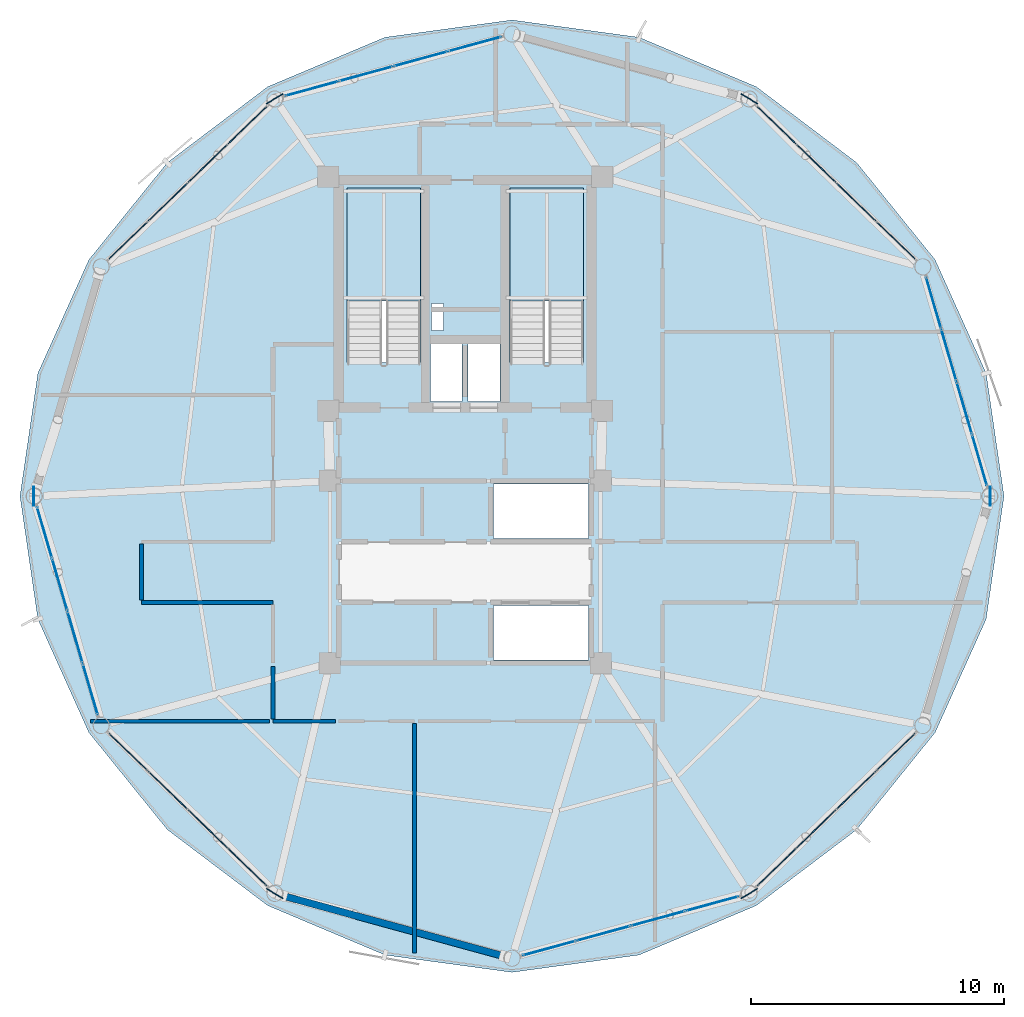
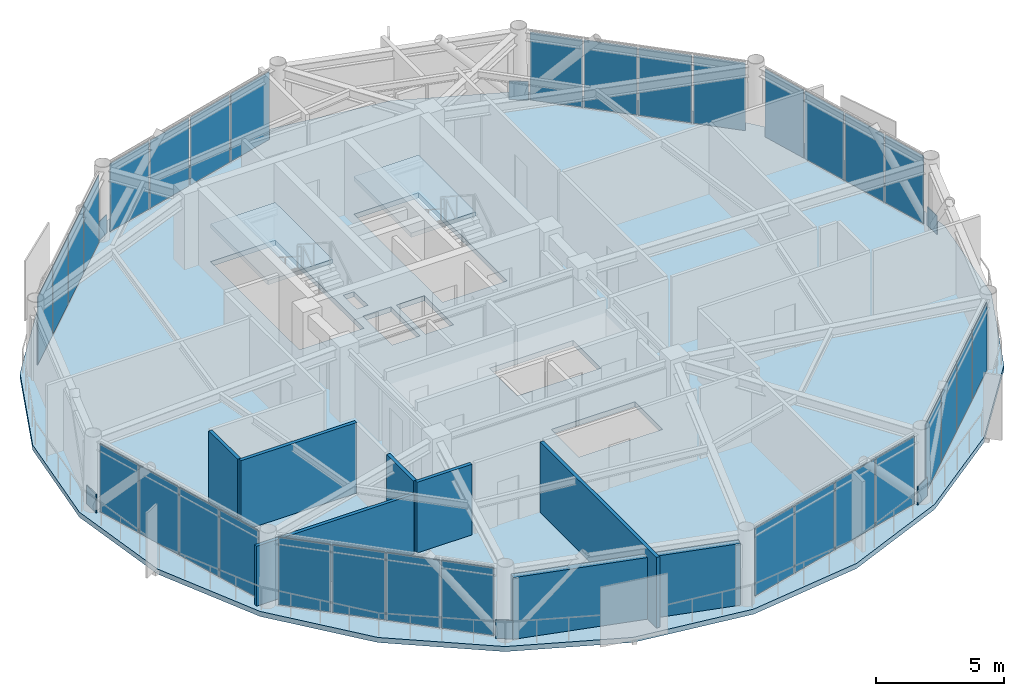
# One storey, part 22 of 28: 38 plates, 7 walls, 3 slabs, 10 elements without a shape of their own.
"""IFC4 building model written with IfcOpenShell, lengths in metres."""

from ifc_helpers import new_model, si_unit, direction, frame, frame_2d, origin, origin_2d, place, context, subcontext, project, spatial, polyline, rectangle, outline, extrude, source, transform, mapped, material, layer, layer_set, type_object, type_shapes, element, aggregate, save


model = new_model("IFC4")

# Units and contexts
model_context = context("Model", 3, precision=1e-05, world=origin(), true_north=direction((0.0, 1.0)))
body_context = subcontext(model_context, "Body", "Model", "MODEL_VIEW")
ifc_project = project(units=[si_unit("LENGTHUNIT", "METRE"), si_unit("AREAUNIT", "SQUARE_METRE"), si_unit("VOLUMEUNIT", "CUBIC_METRE"), si_unit("PLANEANGLEUNIT", "RADIAN"), si_unit("MASSUNIT", "GRAM", prefix="KILO")], contexts=[model_context])

# Site, building, storey
site_placement = place(None, origin())
site = spatial("IfcSite", under=ifc_project, at=site_placement, CompositionType="ELEMENT")
building_placement = place(site_placement, origin())
building = spatial("IfcBuilding", under=site, at=building_placement, Name="Varnakorn Sky Granary", CompositionType="ELEMENT")
storey_placement = place(building_placement, frame((0.0, 0.0, 225.60009765625)))
storey = spatial("IfcBuildingStorey", under=building, at=storey_placement, Name="L57", CompositionType="ELEMENT", Elevation=225.60009765625)

# Plates
ifc_material_1 = material(Name="Steel S460M", Category="steel")
ifc_layer_1 = layer(ifc_material_1, 0.035888671875, Name="Steel S460M")
ifc_layer_set_1 = layer_set([ifc_layer_1], Name="Steel S460M")
plate_type_1 = type_object("IfcPlateType", Name="PL-NODE-KN4", PredefinedType="SHEET", material=ifc_layer_set_1)
for number, where, z_axis, x_axis, name in (
    (1, (23.751953125, 0.0, 0.0), (0.0, 0.0, 1.0), (0.0, 1.0, 0.0), "Diagrid Node Gusset Assembly KN4 L57-1"),
    (2, (14.2333984375, 15.710693359375, 0.0), (0.0, 0.0, 1.0), (-0.858524491586, 0.512772559082, 0.0), "Diagrid Node Gusset Assembly KN4 L57-3"),
    (3, (-4.533447265625, 15.710693359375, 0.0), (0.0, 0.0, 1.0), (-0.858524491586, -0.512772559082, 0.0), "Diagrid Node Gusset Assembly KN4 L57-5"),
    (4, (-14.052001953125, 0.0, 0.0), (0.0, 0.0, 1.0), (0.0, -1.0, 0.0), "Diagrid Node Gusset Assembly KN4 L57-7"),
    (5, (-4.533447265625, -15.710693359375, 0.0), (0.0, 0.0, 1.0), (0.858524491586, -0.512772559082, 0.0), "Diagrid Node Gusset Assembly KN4 L57-9"),
    (6, (14.2333984375, -15.710693359375, 0.0), (0.0, 0.0, 1.0), (0.858524491586, 0.512772559082, 0.0), "Diagrid Node Gusset Assembly KN4 L57-11"),
):
    element("IfcPlate", number, at=place(storey_placement, frame(where, z_axis=z_axis, x_axis=x_axis)), inside=storey, type_object=plate_type_1, Name=name, PredefinedType="SHEET", context=body_context, shape_type="SweptSolid", body=[
        extrude(rectangle(XDim=0.760009765625, YDim=0.035888671875, at=origin_2d()), origin(), (0.0, 0.0, 1.0), 0.8798828125),
    ])

# Stair, slab
ifc_material_2 = material(Name="Concrete C40/50", Category="concrete")
stair_type = type_object("IfcStairType", Name="ST-MAIN-ASSEMBLY", PredefinedType="HALF_TURN_STAIR", material=ifc_material_2)
stair_1_placement = place(storey_placement, origin())
stair_1 = element("IfcStair", 7, at=stair_1_placement, inside=storey, type_object=stair_type, Name="L57 Protected Exit Stair ST-1", PredefinedType="HALF_TURN_STAIR")
ifc_layer_2 = layer(ifc_material_2, 0.199951171875, Name="Concrete C40/50")
ifc_layer_set_2 = layer_set([ifc_layer_2], Name="Concrete C40/50")
slab_type_1 = type_object("IfcSlabType", Name="ST-MAIN-LAND", PredefinedType="LANDING", material=ifc_layer_set_2)
slab_1_placement = place(storey_placement, frame((0.0, 0.0, 1.599853515625)))
slab_1 = element("IfcSlab", 8, at=slab_1_placement, type_object=slab_type_1, Name="ST-1 landing 1", PredefinedType="LANDING", context=body_context, shape_type="SweptSolid", body=[
    extrude(outline(polyline([(1.239990234375, 7.719970703125), (1.239990234375, 12.179931640625), (-1.669921875, 12.179931640625), (-1.669921875, 7.719970703125), (1.239990234375, 7.719970703125)])), origin(), (0.0, 0.0, 1.0), 0.199951171875),
])
aggregate(stair_1, [slab_1])

stair_2_placement = place(storey_placement, origin())
stair_2 = element("IfcStair", 9, at=stair_2_placement, inside=storey, type_object=stair_type, Name="L57 Protected Exit Stair ST-2", PredefinedType="HALF_TURN_STAIR")
slab_2_placement = place(storey_placement, frame((0.0, 0.0, 1.599853515625)))
slab_2 = element("IfcSlab", 10, at=slab_2_placement, type_object=slab_type_1, Name="ST-2 landing 1", PredefinedType="LANDING", context=body_context, shape_type="SweptSolid", body=[
    extrude(outline(polyline([(7.679931640625, 7.719970703125), (7.679931640625, 12.179931640625), (4.77001953125, 12.179931640625), (4.77001953125, 7.719970703125), (7.679931640625, 7.719970703125)])), origin(), (0.0, 0.0, 1.0), 0.199951171875),
])
aggregate(stair_2, [slab_2])

# Slab
ifc_material_3 = material(Name="Concrete C50/60", Category="concrete")
ifc_layer_3 = layer(ifc_material_3, 0.239990234375, Name="Concrete C50/60")
ifc_layer_set_3 = layer_set([ifc_layer_3], Name="Concrete C50/60")
slab_type_2 = type_object("IfcSlabType", Name="ST-SL-TWR-240", PredefinedType="FLOOR", material=ifc_layer_set_3)
slab_3_placement = place(storey_placement, frame((0.0, 0.0, -0.239990234375)))
element("IfcSlab", 11, at=slab_3_placement, inside=storey, type_object=slab_type_2, Name="Level L57 Structural Floor Slab", PredefinedType="FLOOR", context=body_context, shape_type="SweptSolid", body=[
    extrude(outline(polyline([(24.302001953125, 0.0), (23.595703125, 4.86083984375), (21.5791015625, 9.345458984375), (18.477294921875, 13.184814453125), (14.508544921875, 16.18701171875), (9.872802734375, 18.14111328125), (4.85009765625, 18.825927734375), (-0.1728515625, 18.14111328125), (-4.80859375, 16.18701171875), (-8.77734375, 13.184814453125), (-11.87890625, 9.345458984375), (-13.895751953125, 4.86083984375), (-14.60205078125, 0.0), (-13.895751953125, -4.86083984375), (-11.87890625, -9.345458984375), (-8.77734375, -13.184814453125), (-4.80859375, -16.18701171875), (-0.1728515625, -18.14111328125), (4.85009765625, -18.825927734375), (9.872802734375, -18.14111328125), (14.508544921875, -16.18701171875), (18.477294921875, -13.184814453125), (21.5791015625, -9.345458984375), (23.595703125, -4.86083984375), (24.302001953125, 0.0)]), holes=[polyline([(1.239990234375, 5.27490234375), (1.239990234375, 12.179931640625), (-1.669921875, 12.179931640625), (-1.669921875, 5.27490234375), (1.239990234375, 5.27490234375)]), polyline([(7.679931640625, 5.27490234375), (7.679931640625, 12.179931640625), (4.77001953125, 12.179931640625), (4.77001953125, 5.27490234375), (7.679931640625, 5.27490234375)]), polyline([(1.659912109375, 6.550048828125), (2.14990234375, 6.550048828125), (2.14990234375, 7.6201171875), (1.659912109375, 7.6201171875), (1.659912109375, 6.550048828125)]), polyline([(1.6201171875, 3.739990234375), (2.8798828125, 3.739990234375), (2.8798828125, 6.010009765625), (1.6201171875, 6.010009765625), (1.6201171875, 3.739990234375)]), polyline([(3.1201171875, 3.739990234375), (4.3798828125, 3.739990234375), (4.3798828125, 6.010009765625), (3.1201171875, 6.010009765625), (3.1201171875, 3.739990234375)]), polyline([(4.1201171875, -1.679931640625), (7.8798828125, -1.679931640625), (7.8798828125, 0.47998046875), (4.1201171875, 0.47998046875), (4.1201171875, -1.679931640625)]), polyline([(4.1201171875, -6.47998046875), (7.8798828125, -6.47998046875), (7.8798828125, -4.320068359375), (4.1201171875, -4.320068359375), (4.1201171875, -6.47998046875)])]), origin(), (0.0, 0.0, 1.0), 0.239990234375),
])

# Curtain wall, plates
ifc_material_4 = material(Name="Anodised Bronze Aluminium Alloy 6063-T6", Category="aluminium")
ifc_layer_4 = layer(ifc_material_4, 0.169921875, Name="Anodised Bronze Aluminium Alloy 6063-T6")
ifc_layer_set_4 = layer_set([ifc_layer_4], Name="Anodised Bronze Aluminium Alloy 6063-T6")
curtain_wall_type = type_object("IfcCurtainWallType", Name="CW-LAB-1", PredefinedType="USERDEFINED", material=ifc_layer_set_4)
curtain_wall_1_placement = place(storey_placement, origin())
curtain_wall_1 = element("IfcCurtainWall", 12, at=curtain_wall_1_placement, inside=storey, type_object=curtain_wall_type, Name="Unitised Curtain Wall CW5 CW-L57-B01", ObjectType="CURTAIN WALL", PredefinedType="USERDEFINED")
ifc_material_5 = material(Name="Low-E Tinted Laminated Glass", Category="glass")
ifc_layer_5 = layer(ifc_material_5, 0.033935546875, Name="Low-E Tinted Laminated Glass")
ifc_layer_set_5 = layer_set([ifc_layer_5], Name="Low-E Tinted Laminated Glass")
plate_type_2 = type_object("IfcPlateType", Name="CW-LAB-1-PNL", PredefinedType="CURTAIN_PANEL")
shared_shape_1 = source(origin(), body_context, "Body", "SweptSolid", [
    extrude(rectangle(XDim=2.06982421875, YDim=0.033935546875, at=origin_2d()), origin(), (0.0, 0.0, 1.0), 3.219970703125),
])
plate_1_placement = place(storey_placement, frame((21.5205078125, 7.640380859375, 0.06982421875), z_axis=(0.0, 0.0, 1.0), x_axis=(0.28037603098, -0.959890244378, 0.0)))
plate_1 = element("IfcPlate", 13, at=plate_1_placement, type_object=plate_type_2, material=ifc_layer_set_5, Name="CW5 vision glazing unit 1.1", PredefinedType="CURTAIN_PANEL", context=body_context, shape_type="MappedRepresentation", body=[
    mapped(shared_shape_1, transform((0.0, 0.0, 0.0), x_axis=(1.0, 0.0, 0.0), y_axis=(0.0, 1.0, 0.0), z_axis=(0.0, 0.0, 1.0), scale=1.0)),
])
ifc_material_6 = material(Name="Opaque Insulated Aluminium Shadow-Box Unit", Category="aluminium")
ifc_layer_6 = layer(ifc_material_6, 0.033935546875, Name="Opaque Insulated Aluminium Shadow-Box Unit")
ifc_layer_set_6 = layer_set([ifc_layer_6], Name="Opaque Insulated Aluminium Shadow-Box Unit")
plate_2_placement = place(storey_placement, frame((23.334228515625, 1.43017578125, 0.06982421875), z_axis=(0.0, 0.0, 1.0), x_axis=(0.28037603098, -0.959890244378, 0.0)))
plate_2 = element("IfcPlate", 14, at=plate_2_placement, type_object=plate_type_2, material=ifc_layer_set_6, Name="CW5 opaque insulated shadow-box unit 4.1", PredefinedType="CURTAIN_PANEL", context=body_context, shape_type="MappedRepresentation", body=[
    mapped(shared_shape_1, transform((0.0, 0.0, 0.0), x_axis=(1.0, 0.0, 0.0), y_axis=(0.0, 1.0, 0.0), z_axis=(0.0, 0.0, 1.0), scale=1.0)),
])

curtain_wall_2_placement = place(storey_placement, origin())
curtain_wall_2 = element("IfcCurtainWall", 15, at=curtain_wall_2_placement, inside=storey, type_object=curtain_wall_type, Name="Unitised Curtain Wall CW5 CW-L57-B07", ObjectType="CURTAIN WALL", PredefinedType="USERDEFINED")
plate_3_placement = place(storey_placement, frame((-11.8203125, -7.640380859375, 0.06982421875), z_axis=(0.0, 0.0, 1.0), x_axis=(-0.28037603098, 0.959890244378, 0.0)))
plate_3 = element("IfcPlate", 16, at=plate_3_placement, type_object=plate_type_2, material=ifc_layer_set_5, Name="CW5 vision glazing unit 1.1", PredefinedType="CURTAIN_PANEL", context=body_context, shape_type="MappedRepresentation", body=[
    mapped(shared_shape_1, transform((0.0, 0.0, 0.0), x_axis=(1.0, 0.0, 0.0), y_axis=(0.0, 1.0, 0.0), z_axis=(0.0, 0.0, 1.0), scale=1.0)),
])
plate_4_placement = place(storey_placement, frame((-13.63427734375, -1.43017578125, 0.06982421875), z_axis=(0.0, 0.0, 1.0), x_axis=(-0.28037603098, 0.959890244378, 0.0)))
plate_4 = element("IfcPlate", 17, at=plate_4_placement, type_object=plate_type_2, material=ifc_layer_set_6, Name="CW5 opaque insulated shadow-box unit 4.1", PredefinedType="CURTAIN_PANEL", context=body_context, shape_type="MappedRepresentation", body=[
    mapped(shared_shape_1, transform((0.0, 0.0, 0.0), x_axis=(1.0, 0.0, 0.0), y_axis=(0.0, 1.0, 0.0), z_axis=(0.0, 0.0, 1.0), scale=1.0)),
])

# Plate
shared_shape_2 = source(origin(), body_context, "Body", "SweptSolid", [
    extrude(rectangle(XDim=2.102294921875, YDim=0.033935546875, at=origin_2d()), origin(), (0.0, 0.0, 1.0), 3.219970703125),
])
plate_5_placement = place(storey_placement, frame((22.12353515625, 5.575439453125, 0.06982421875), z_axis=(0.0, 0.0, 1.0), x_axis=(0.28037603098, -0.959890244378, 0.0)))
plate_5 = element("IfcPlate", 18, at=plate_5_placement, type_object=plate_type_2, material=ifc_layer_set_5, Name="CW5 vision glazing unit 2.1", PredefinedType="CURTAIN_PANEL", context=body_context, shape_type="MappedRepresentation", body=[
    mapped(shared_shape_2, transform((0.0, 0.0, 0.0), x_axis=(1.0, 0.0, 0.0), y_axis=(0.0, 1.0, 0.0), z_axis=(0.0, 0.0, 1.0), scale=1.0)),
])

plate_6_placement = place(storey_placement, frame((22.731201171875, 3.4951171875, 0.06982421875), z_axis=(0.0, 0.0, 1.0), x_axis=(0.28037603098, -0.959890244378, 0.0)))
plate_6 = element("IfcPlate", 19, at=plate_6_placement, type_object=plate_type_2, material=ifc_layer_set_6, Name="CW5 opaque insulated shadow-box unit 3.1", PredefinedType="CURTAIN_PANEL", context=body_context, shape_type="MappedRepresentation", body=[
    mapped(shared_shape_2, transform((0.0, 0.0, 0.0), x_axis=(1.0, 0.0, 0.0), y_axis=(0.0, 1.0, 0.0), z_axis=(0.0, 0.0, 1.0), scale=1.0)),
])

aggregate(curtain_wall_1, [plate_1, plate_5, plate_6, plate_2])

plate_7_placement = place(storey_placement, frame((-12.423583984375, -5.575439453125, 0.06982421875), z_axis=(0.0, 0.0, 1.0), x_axis=(-0.28037603098, 0.959890244378, 0.0)))
plate_7 = element("IfcPlate", 20, at=plate_7_placement, type_object=plate_type_2, material=ifc_layer_set_5, Name="CW5 vision glazing unit 2.1", PredefinedType="CURTAIN_PANEL", context=body_context, shape_type="MappedRepresentation", body=[
    mapped(shared_shape_2, transform((0.0, 0.0, 0.0), x_axis=(1.0, 0.0, 0.0), y_axis=(0.0, 1.0, 0.0), z_axis=(0.0, 0.0, 1.0), scale=1.0)),
])

plate_8_placement = place(storey_placement, frame((-13.03125, -3.4951171875, 0.06982421875), z_axis=(0.0, 0.0, 1.0), x_axis=(-0.28037603098, 0.959890244378, 0.0)))
plate_8 = element("IfcPlate", 21, at=plate_8_placement, type_object=plate_type_2, material=ifc_layer_set_6, Name="CW5 opaque insulated shadow-box unit 3.1", PredefinedType="CURTAIN_PANEL", context=body_context, shape_type="MappedRepresentation", body=[
    mapped(shared_shape_2, transform((0.0, 0.0, 0.0), x_axis=(1.0, 0.0, 0.0), y_axis=(0.0, 1.0, 0.0), z_axis=(0.0, 0.0, 1.0), scale=1.0)),
])

aggregate(curtain_wall_2, [plate_3, plate_7, plate_8, plate_4])

# Curtain wall, plates
curtain_wall_3_placement = place(storey_placement, origin())
curtain_wall_3 = element("IfcCurtainWall", 22, at=curtain_wall_3_placement, inside=storey, type_object=curtain_wall_type, Name="Unitised Curtain Wall CW5 CW-L57-B02", ObjectType="CURTAIN WALL", PredefinedType="USERDEFINED")
shared_shape_3 = source(origin(), body_context, "Body", "SweptSolid", [
    extrude(rectangle(XDim=2.095947265625, YDim=0.033935546875, at=origin_2d()), origin(), (0.0, 0.0, 1.0), 3.219970703125),
])
plate_9_placement = place(storey_placement, frame((15.314208984375, 14.666015625, 0.06982421875), z_axis=(0.0, 0.0, 1.0), x_axis=(0.719000906004, -0.695009134591, 0.0)))
plate_9 = element("IfcPlate", 23, at=plate_9_placement, type_object=plate_type_2, material=ifc_layer_set_6, Name="CW5 opaque insulated shadow-box unit 1.1", PredefinedType="CURTAIN_PANEL", context=body_context, shape_type="MappedRepresentation", body=[
    mapped(shared_shape_3, transform((0.0, 0.0, 0.0), x_axis=(1.0, 0.0, 0.0), y_axis=(0.0, 1.0, 0.0), z_axis=(0.0, 0.0, 1.0), scale=1.0)),
])
plate_10_placement = place(storey_placement, frame((20.02197265625, 10.115234375, 0.06982421875), z_axis=(0.0, 0.0, 1.0), x_axis=(0.719000906004, -0.695009134591, 0.0)))
plate_10 = element("IfcPlate", 24, at=plate_10_placement, type_object=plate_type_2, material=ifc_layer_set_5, Name="CW5 vision glazing unit 4.1", PredefinedType="CURTAIN_PANEL", context=body_context, shape_type="MappedRepresentation", body=[
    mapped(shared_shape_3, transform((0.0, 0.0, 0.0), x_axis=(1.0, 0.0, 0.0), y_axis=(0.0, 1.0, 0.0), z_axis=(0.0, 0.0, 1.0), scale=1.0)),
])

curtain_wall_4_placement = place(storey_placement, origin())
curtain_wall_4 = element("IfcCurtainWall", 25, at=curtain_wall_4_placement, inside=storey, type_object=curtain_wall_type, Name="Unitised Curtain Wall CW5 CW-L57-B05", ObjectType="CURTAIN WALL", PredefinedType="USERDEFINED")
plate_11_placement = place(storey_placement, frame((-10.322021484375, 10.115234375, 0.06982421875), z_axis=(0.0, 0.0, 1.0), x_axis=(0.719000906004, 0.695009134591, 0.0)))
plate_11 = element("IfcPlate", 26, at=plate_11_placement, type_object=plate_type_2, material=ifc_layer_set_5, Name="CW5 vision glazing unit 1.1", PredefinedType="CURTAIN_PANEL", context=body_context, shape_type="MappedRepresentation", body=[
    mapped(shared_shape_3, transform((0.0, 0.0, 0.0), x_axis=(1.0, 0.0, 0.0), y_axis=(0.0, 1.0, 0.0), z_axis=(0.0, 0.0, 1.0), scale=1.0)),
])
plate_12_placement = place(storey_placement, frame((-5.614013671875, 14.666015625, 0.06982421875), z_axis=(0.0, 0.0, 1.0), x_axis=(0.719000906004, 0.695009134591, 0.0)))
plate_12 = element("IfcPlate", 27, at=plate_12_placement, type_object=plate_type_2, material=ifc_layer_set_6, Name="CW5 opaque insulated shadow-box unit 4.1", PredefinedType="CURTAIN_PANEL", context=body_context, shape_type="MappedRepresentation", body=[
    mapped(shared_shape_3, transform((0.0, 0.0, 0.0), x_axis=(1.0, 0.0, 0.0), y_axis=(0.0, 1.0, 0.0), z_axis=(0.0, 0.0, 1.0), scale=1.0)),
])

curtain_wall_5_placement = place(storey_placement, origin())
curtain_wall_5 = element("IfcCurtainWall", 28, at=curtain_wall_5_placement, inside=storey, type_object=curtain_wall_type, Name="Unitised Curtain Wall CW5 CW-L57-B08", ObjectType="CURTAIN WALL", PredefinedType="USERDEFINED")
plate_13_placement = place(storey_placement, frame((-5.614013671875, -14.666015625, 0.06982421875), z_axis=(0.0, 0.0, 1.0), x_axis=(-0.719000906004, 0.695009134591, 0.0)))
plate_13 = element("IfcPlate", 29, at=plate_13_placement, type_object=plate_type_2, material=ifc_layer_set_6, Name="CW5 opaque insulated shadow-box unit 1.1", PredefinedType="CURTAIN_PANEL", context=body_context, shape_type="MappedRepresentation", body=[
    mapped(shared_shape_3, transform((0.0, 0.0, 0.0), x_axis=(1.0, 0.0, 0.0), y_axis=(0.0, 1.0, 0.0), z_axis=(0.0, 0.0, 1.0), scale=1.0)),
])
plate_14_placement = place(storey_placement, frame((-10.322021484375, -10.115234375, 0.06982421875), z_axis=(0.0, 0.0, 1.0), x_axis=(-0.719000906004, 0.695009134591, 0.0)))
plate_14 = element("IfcPlate", 30, at=plate_14_placement, type_object=plate_type_2, material=ifc_layer_set_5, Name="CW5 vision glazing unit 4.1", PredefinedType="CURTAIN_PANEL", context=body_context, shape_type="MappedRepresentation", body=[
    mapped(shared_shape_3, transform((0.0, 0.0, 0.0), x_axis=(1.0, 0.0, 0.0), y_axis=(0.0, 1.0, 0.0), z_axis=(0.0, 0.0, 1.0), scale=1.0)),
])

curtain_wall_6_placement = place(storey_placement, origin())
curtain_wall_6 = element("IfcCurtainWall", 31, at=curtain_wall_6_placement, inside=storey, type_object=curtain_wall_type, Name="Unitised Curtain Wall CW5 CW-L57-B11", ObjectType="CURTAIN WALL", PredefinedType="USERDEFINED")
plate_15_placement = place(storey_placement, frame((20.02197265625, -10.115234375, 0.06982421875), z_axis=(0.0, 0.0, 1.0), x_axis=(-0.719000906004, -0.695009134591, 0.0)))
plate_15 = element("IfcPlate", 32, at=plate_15_placement, type_object=plate_type_2, material=ifc_layer_set_5, Name="CW5 vision glazing unit 1.1", PredefinedType="CURTAIN_PANEL", context=body_context, shape_type="MappedRepresentation", body=[
    mapped(shared_shape_3, transform((0.0, 0.0, 0.0), x_axis=(1.0, 0.0, 0.0), y_axis=(0.0, 1.0, 0.0), z_axis=(0.0, 0.0, 1.0), scale=1.0)),
])
plate_16_placement = place(storey_placement, frame((15.314208984375, -14.666015625, 0.06982421875), z_axis=(0.0, 0.0, 1.0), x_axis=(-0.719000906004, -0.695009134591, 0.0)))
plate_16 = element("IfcPlate", 33, at=plate_16_placement, type_object=plate_type_2, material=ifc_layer_set_6, Name="CW5 opaque insulated shadow-box unit 4.1", PredefinedType="CURTAIN_PANEL", context=body_context, shape_type="MappedRepresentation", body=[
    mapped(shared_shape_3, transform((0.0, 0.0, 0.0), x_axis=(1.0, 0.0, 0.0), y_axis=(0.0, 1.0, 0.0), z_axis=(0.0, 0.0, 1.0), scale=1.0)),
])

# Plate
shared_shape_4 = source(origin(), body_context, "Body", "SweptSolid", [
    extrude(rectangle(XDim=2.12841796875, YDim=0.033935546875, at=origin_2d()), origin(), (0.0, 0.0, 1.0), 3.219970703125),
])
plate_17_placement = place(storey_placement, frame((16.879638671875, 13.15283203125, 0.06982421875), z_axis=(0.0, 0.0, 1.0), x_axis=(0.719000906004, -0.695009134591, 0.0)))
plate_17 = element("IfcPlate", 34, at=plate_17_placement, type_object=plate_type_2, material=ifc_layer_set_6, Name="CW5 opaque insulated shadow-box unit 2.1", PredefinedType="CURTAIN_PANEL", context=body_context, shape_type="MappedRepresentation", body=[
    mapped(shared_shape_4, transform((0.0, 0.0, 0.0), x_axis=(1.0, 0.0, 0.0), y_axis=(0.0, 1.0, 0.0), z_axis=(0.0, 0.0, 1.0), scale=1.0)),
])

plate_18_placement = place(storey_placement, frame((18.45654296875, 11.62841796875, 0.06982421875), z_axis=(0.0, 0.0, 1.0), x_axis=(0.719000906004, -0.695009134591, 0.0)))
plate_18 = element("IfcPlate", 35, at=plate_18_placement, type_object=plate_type_2, material=ifc_layer_set_5, Name="CW5 vision glazing unit 3.1", PredefinedType="CURTAIN_PANEL", context=body_context, shape_type="MappedRepresentation", body=[
    mapped(shared_shape_4, transform((0.0, 0.0, 0.0), x_axis=(1.0, 0.0, 0.0), y_axis=(0.0, 1.0, 0.0), z_axis=(0.0, 0.0, 1.0), scale=1.0)),
])

aggregate(curtain_wall_3, [plate_9, plate_17, plate_18, plate_10])

plate_19_placement = place(storey_placement, frame((-8.756591796875, 11.62841796875, 0.06982421875), z_axis=(0.0, 0.0, 1.0), x_axis=(0.719000906004, 0.695009134591, 0.0)))
plate_19 = element("IfcPlate", 36, at=plate_19_placement, type_object=plate_type_2, material=ifc_layer_set_5, Name="CW5 vision glazing unit 2.1", PredefinedType="CURTAIN_PANEL", context=body_context, shape_type="MappedRepresentation", body=[
    mapped(shared_shape_4, transform((0.0, 0.0, 0.0), x_axis=(1.0, 0.0, 0.0), y_axis=(0.0, 1.0, 0.0), z_axis=(0.0, 0.0, 1.0), scale=1.0)),
])

plate_20_placement = place(storey_placement, frame((-7.179443359375, 13.15283203125, 0.06982421875), z_axis=(0.0, 0.0, 1.0), x_axis=(0.719000906004, 0.695009134591, 0.0)))
plate_20 = element("IfcPlate", 37, at=plate_20_placement, type_object=plate_type_2, material=ifc_layer_set_6, Name="CW5 opaque insulated shadow-box unit 3.1", PredefinedType="CURTAIN_PANEL", context=body_context, shape_type="MappedRepresentation", body=[
    mapped(shared_shape_4, transform((0.0, 0.0, 0.0), x_axis=(1.0, 0.0, 0.0), y_axis=(0.0, 1.0, 0.0), z_axis=(0.0, 0.0, 1.0), scale=1.0)),
])

aggregate(curtain_wall_4, [plate_11, plate_19, plate_20, plate_12])

plate_21_placement = place(storey_placement, frame((-7.179443359375, -13.15283203125, 0.06982421875), z_axis=(0.0, 0.0, 1.0), x_axis=(-0.719000906004, 0.695009134591, 0.0)))
plate_21 = element("IfcPlate", 38, at=plate_21_placement, type_object=plate_type_2, material=ifc_layer_set_6, Name="CW5 opaque insulated shadow-box unit 2.1", PredefinedType="CURTAIN_PANEL", context=body_context, shape_type="MappedRepresentation", body=[
    mapped(shared_shape_4, transform((0.0, 0.0, 0.0), x_axis=(1.0, 0.0, 0.0), y_axis=(0.0, 1.0, 0.0), z_axis=(0.0, 0.0, 1.0), scale=1.0)),
])

plate_22_placement = place(storey_placement, frame((-8.756591796875, -11.62841796875, 0.06982421875), z_axis=(0.0, 0.0, 1.0), x_axis=(-0.719000906004, 0.695009134591, 0.0)))
plate_22 = element("IfcPlate", 39, at=plate_22_placement, type_object=plate_type_2, material=ifc_layer_set_5, Name="CW5 vision glazing unit 3.1", PredefinedType="CURTAIN_PANEL", context=body_context, shape_type="MappedRepresentation", body=[
    mapped(shared_shape_4, transform((0.0, 0.0, 0.0), x_axis=(1.0, 0.0, 0.0), y_axis=(0.0, 1.0, 0.0), z_axis=(0.0, 0.0, 1.0), scale=1.0)),
])

aggregate(curtain_wall_5, [plate_13, plate_21, plate_22, plate_14])

plate_23_placement = place(storey_placement, frame((18.45654296875, -11.62841796875, 0.06982421875), z_axis=(0.0, 0.0, 1.0), x_axis=(-0.719000906004, -0.695009134591, 0.0)))
plate_23 = element("IfcPlate", 40, at=plate_23_placement, type_object=plate_type_2, material=ifc_layer_set_5, Name="CW5 vision glazing unit 2.1", PredefinedType="CURTAIN_PANEL", context=body_context, shape_type="MappedRepresentation", body=[
    mapped(shared_shape_4, transform((0.0, 0.0, 0.0), x_axis=(1.0, 0.0, 0.0), y_axis=(0.0, 1.0, 0.0), z_axis=(0.0, 0.0, 1.0), scale=1.0)),
])

plate_24_placement = place(storey_placement, frame((16.879638671875, -13.15283203125, 0.06982421875), z_axis=(0.0, 0.0, 1.0), x_axis=(-0.719000906004, -0.695009134591, 0.0)))
plate_24 = element("IfcPlate", 41, at=plate_24_placement, type_object=plate_type_2, material=ifc_layer_set_6, Name="CW5 opaque insulated shadow-box unit 3.1", PredefinedType="CURTAIN_PANEL", context=body_context, shape_type="MappedRepresentation", body=[
    mapped(shared_shape_4, transform((0.0, 0.0, 0.0), x_axis=(1.0, 0.0, 0.0), y_axis=(0.0, 1.0, 0.0), z_axis=(0.0, 0.0, 1.0), scale=1.0)),
])

aggregate(curtain_wall_6, [plate_15, plate_23, plate_24, plate_16])

# Curtain wall, plates
curtain_wall_7_placement = place(storey_placement, origin())
curtain_wall_7 = element("IfcCurtainWall", 42, at=curtain_wall_7_placement, inside=storey, type_object=curtain_wall_type, Name="Unitised Curtain Wall CW5 CW-L57-B04", ObjectType="CURTAIN WALL", PredefinedType="USERDEFINED")
shared_shape_5 = source(origin(), body_context, "Body", "SweptSolid", [
    extrude(rectangle(XDim=2.139404296875, YDim=0.033935546875, at=origin_2d()), origin(), (0.0, 0.0, 1.0), 3.219970703125),
])
plate_25_placement = place(storey_placement, frame((-3.062744140625, 16.112548828125, 0.06982421875), z_axis=(0.0, 0.0, 1.0), x_axis=(0.964597280458, 0.263727295767, 0.0)))
plate_25 = element("IfcPlate", 43, at=plate_25_placement, type_object=plate_type_2, material=ifc_layer_set_6, Name="CW5 opaque insulated shadow-box unit 1.1", PredefinedType="CURTAIN_PANEL", context=body_context, shape_type="MappedRepresentation", body=[
    mapped(shared_shape_5, transform((0.0, 0.0, 0.0), x_axis=(1.0, 0.0, 0.0), y_axis=(0.0, 1.0, 0.0), z_axis=(0.0, 0.0, 1.0), scale=1.0)),
])
plate_26_placement = place(storey_placement, frame((3.379150390625, 17.8740234375, 0.06982421875), z_axis=(0.0, 0.0, 1.0), x_axis=(0.964597280458, 0.263727295767, 0.0)))
plate_26 = element("IfcPlate", 44, at=plate_26_placement, type_object=plate_type_2, material=ifc_layer_set_5, Name="CW5 vision glazing unit 4.1", PredefinedType="CURTAIN_PANEL", context=body_context, shape_type="MappedRepresentation", body=[
    mapped(shared_shape_5, transform((0.0, 0.0, 0.0), x_axis=(1.0, 0.0, 0.0), y_axis=(0.0, 1.0, 0.0), z_axis=(0.0, 0.0, 1.0), scale=1.0)),
])

curtain_wall_8_placement = place(storey_placement, origin())
curtain_wall_8 = element("IfcCurtainWall", 45, at=curtain_wall_8_placement, inside=storey, type_object=curtain_wall_type, Name="Unitised Curtain Wall CW5 CW-L57-B10", ObjectType="CURTAIN WALL", PredefinedType="USERDEFINED")
plate_27_placement = place(storey_placement, frame((12.7626953125, -16.112548828125, 0.06982421875), z_axis=(0.0, 0.0, 1.0), x_axis=(-0.964597280458, -0.263727295767, 0.0)))
plate_27 = element("IfcPlate", 46, at=plate_27_placement, type_object=plate_type_2, material=ifc_layer_set_6, Name="CW5 opaque insulated shadow-box unit 1.1", PredefinedType="CURTAIN_PANEL", context=body_context, shape_type="MappedRepresentation", body=[
    mapped(shared_shape_5, transform((0.0, 0.0, 0.0), x_axis=(1.0, 0.0, 0.0), y_axis=(0.0, 1.0, 0.0), z_axis=(0.0, 0.0, 1.0), scale=1.0)),
])
plate_28_placement = place(storey_placement, frame((6.32080078125, -17.8740234375, 0.06982421875), z_axis=(0.0, 0.0, 1.0), x_axis=(-0.964597280458, -0.263727295767, 0.0)))
plate_28 = element("IfcPlate", 47, at=plate_28_placement, type_object=plate_type_2, material=ifc_layer_set_5, Name="CW5 vision glazing unit 4.1", PredefinedType="CURTAIN_PANEL", context=body_context, shape_type="MappedRepresentation", body=[
    mapped(shared_shape_5, transform((0.0, 0.0, 0.0), x_axis=(1.0, 0.0, 0.0), y_axis=(0.0, 1.0, 0.0), z_axis=(0.0, 0.0, 1.0), scale=1.0)),
])

# Plate
shared_shape_6 = source(origin(), body_context, "Body", "SweptSolid", [
    extrude(rectangle(XDim=2.171875, YDim=0.033935546875, at=origin_2d()), origin(), (0.0, 0.0, 1.0), 3.219970703125),
])
type_shapes(plate_type_2, [shared_shape_1, shared_shape_2, shared_shape_3, shared_shape_4, shared_shape_5, shared_shape_6])
plate_29_placement = place(storey_placement, frame((-0.920654296875, 16.6982421875, 0.06982421875), z_axis=(0.0, 0.0, 1.0), x_axis=(0.964597280458, 0.263727295767, 0.0)))
plate_29 = element("IfcPlate", 48, at=plate_29_placement, type_object=plate_type_2, material=ifc_layer_set_6, Name="CW5 opaque insulated shadow-box unit 2.1", PredefinedType="CURTAIN_PANEL", context=body_context, shape_type="MappedRepresentation", body=[
    mapped(shared_shape_6, transform((0.0, 0.0, 0.0), x_axis=(1.0, 0.0, 0.0), y_axis=(0.0, 1.0, 0.0), z_axis=(0.0, 0.0, 1.0), scale=1.0)),
])

plate_30_placement = place(storey_placement, frame((1.237060546875, 17.288330078125, 0.06982421875), z_axis=(0.0, 0.0, 1.0), x_axis=(0.964597280458, 0.263727295767, 0.0)))
plate_30 = element("IfcPlate", 49, at=plate_30_placement, type_object=plate_type_2, material=ifc_layer_set_5, Name="CW5 vision glazing unit 3.1", PredefinedType="CURTAIN_PANEL", context=body_context, shape_type="MappedRepresentation", body=[
    mapped(shared_shape_6, transform((0.0, 0.0, 0.0), x_axis=(1.0, 0.0, 0.0), y_axis=(0.0, 1.0, 0.0), z_axis=(0.0, 0.0, 1.0), scale=1.0)),
])

aggregate(curtain_wall_7, [plate_25, plate_29, plate_30, plate_26])

plate_31_placement = place(storey_placement, frame((10.62060546875, -16.6982421875, 0.06982421875), z_axis=(0.0, 0.0, 1.0), x_axis=(-0.964597280458, -0.263727295767, 0.0)))
plate_31 = element("IfcPlate", 50, at=plate_31_placement, type_object=plate_type_2, material=ifc_layer_set_6, Name="CW5 opaque insulated shadow-box unit 2.1", PredefinedType="CURTAIN_PANEL", context=body_context, shape_type="MappedRepresentation", body=[
    mapped(shared_shape_6, transform((0.0, 0.0, 0.0), x_axis=(1.0, 0.0, 0.0), y_axis=(0.0, 1.0, 0.0), z_axis=(0.0, 0.0, 1.0), scale=1.0)),
])

plate_32_placement = place(storey_placement, frame((8.462890625, -17.288330078125, 0.06982421875), z_axis=(0.0, 0.0, 1.0), x_axis=(-0.964597280458, -0.263727295767, 0.0)))
plate_32 = element("IfcPlate", 51, at=plate_32_placement, type_object=plate_type_2, material=ifc_layer_set_5, Name="CW5 vision glazing unit 3.1", PredefinedType="CURTAIN_PANEL", context=body_context, shape_type="MappedRepresentation", body=[
    mapped(shared_shape_6, transform((0.0, 0.0, 0.0), x_axis=(1.0, 0.0, 0.0), y_axis=(0.0, 1.0, 0.0), z_axis=(0.0, 0.0, 1.0), scale=1.0)),
])

aggregate(curtain_wall_8, [plate_27, plate_31, plate_32, plate_28])

# Walls
ifc_material_7 = material(Name="Precast concrete C40/50", Category="concrete")
ifc_layer_7 = layer(ifc_material_7, 0.280029296875, Name="Precast concrete C40/50")
ifc_layer_set_7 = layer_set([ifc_layer_7], Name="Precast concrete C40/50")
wall_type_1 = type_object("IfcWallType", Name="WT-EW-CRN-280", PredefinedType="SOLIDWALL", material=ifc_layer_set_7)
wall_1_placement = place(storey_placement, frame((4.5751953125, -18.20068359375, 0.0), z_axis=(0.0, 0.0, 1.0), x_axis=(-0.964608620459, 0.263685815575, 0.0)))
element("IfcWall", 52, at=wall_1_placement, inside=storey, type_object=wall_type_1, Name="Agritech Insulated Precast Facade Wall L57-P09", PredefinedType="SOLIDWALL", context=body_context, shape_type="SweptSolid", body=[
    extrude(rectangle(XDim=9.157958984375, YDim=0.280029296875, at=frame_2d((4.5791015625, 0.0))), origin(), (0.0, 0.0, 1.0), 2.929931640625),
])
ifc_material_8 = material(Name="Gypsum Plasterboard on Steel Stud", Category="steel")
ifc_layer_8 = layer(ifc_material_8, 0.14990234375, Name="Gypsum Plasterboard on Steel Stud")
ifc_layer_set_8 = layer_set([ifc_layer_8], Name="Gypsum Plasterboard on Steel Stud")
wall_type_2 = type_object("IfcWallType", Name="WT-PART-150", PredefinedType="PARTITIONING", material=ifc_layer_set_8)
wall_2_placement = place(storey_placement, frame((-4.60009765625, -8.89990234375, 0.0), z_axis=(0.0, 0.0, 1.0), x_axis=(1.0, 0.0, 0.0)))
element("IfcWall", 53, at=wall_2_placement, inside=storey, type_object=wall_type_2, Name="Interior Partition Wall L57-035", PredefinedType="PARTITIONING", context=body_context, shape_type="SweptSolid", body=[
    extrude(rectangle(XDim=2.465087890625, YDim=0.14990234375, at=frame_2d((1.232421875, 0.0))), origin(), (0.0, 0.0, 1.0), 3.35986328125),
])
wall_3_placement = place(storey_placement, frame((1.0, -8.985107421875, 0.0), z_axis=(0.0, 0.0, 1.0), x_axis=(0.0, -1.0, 0.0)))
element("IfcWall", 54, at=wall_3_placement, inside=storey, type_object=wall_type_2, Name="Interior Partition Wall L57-036", PredefinedType="PARTITIONING", context=body_context, shape_type="SweptSolid", body=[
    extrude(rectangle(XDim=9.075927734375, YDim=0.14990234375, at=frame_2d((4.5380859375, 0.0))), origin(), (0.0, 0.0, 1.0), 3.35986328125),
])
wall_4_placement = place(storey_placement, frame((-11.818115234375, -8.89990234375, 0.0), z_axis=(0.0, 0.0, 1.0), x_axis=(1.0, 0.0, 0.0)))
element("IfcWall", 55, at=wall_4_placement, inside=storey, type_object=wall_type_2, Name="Interior Partition Wall L57-037", PredefinedType="PARTITIONING", context=body_context, shape_type="SweptSolid", body=[
    extrude(rectangle(XDim=7.0830078125, YDim=0.14990234375, at=frame_2d((3.54150390625, 0.0))), origin(), (0.0, 0.0, 1.0), 2.841796875),
])
wall_5_placement = place(storey_placement, frame((-9.800048828125, -4.199951171875, 0.0), z_axis=(0.0, 0.0, 1.0), x_axis=(1.0, 0.0, 0.0)))
element("IfcWall", 56, at=wall_5_placement, inside=storey, type_object=wall_type_2, Name="Interior Partition Wall L57-044", PredefinedType="PARTITIONING", context=body_context, shape_type="SweptSolid", body=[
    extrude(rectangle(XDim=5.199951171875, YDim=0.14990234375, at=frame_2d((2.60009765625, 0.0))), origin(), (0.0, 0.0, 1.0), 3.35986328125),
])
wall_6_placement = place(storey_placement, frame((-9.800048828125, -1.885009765625, 0.0), z_axis=(0.0, 0.0, 1.0), x_axis=(0.0, -1.0, 0.0)))
element("IfcWall", 57, at=wall_6_placement, inside=storey, type_object=wall_type_2, Name="Interior Partition Wall L57-045", PredefinedType="PARTITIONING", context=body_context, shape_type="SweptSolid", body=[
    extrude(rectangle(XDim=2.22998046875, YDim=0.14990234375, at=frame_2d((1.114990234375, 0.0))), origin(), (0.0, 0.0, 1.0), 3.35986328125),
])
wall_7_placement = place(storey_placement, frame((-4.60009765625, -6.735107421875, 0.0), z_axis=(0.0, 0.0, 1.0), x_axis=(0.0, -1.0, 0.0)))
element("IfcWall", 58, at=wall_7_placement, inside=storey, type_object=wall_type_2, Name="Interior Partition Wall L57-047", PredefinedType="PARTITIONING", context=body_context, shape_type="SweptSolid", body=[
    extrude(rectangle(XDim=2.079833984375, YDim=0.14990234375, at=frame_2d((1.0400390625, 0.0))), origin(), (0.0, 0.0, 1.0), 3.35986328125),
])

save(model, "model.ifc")
